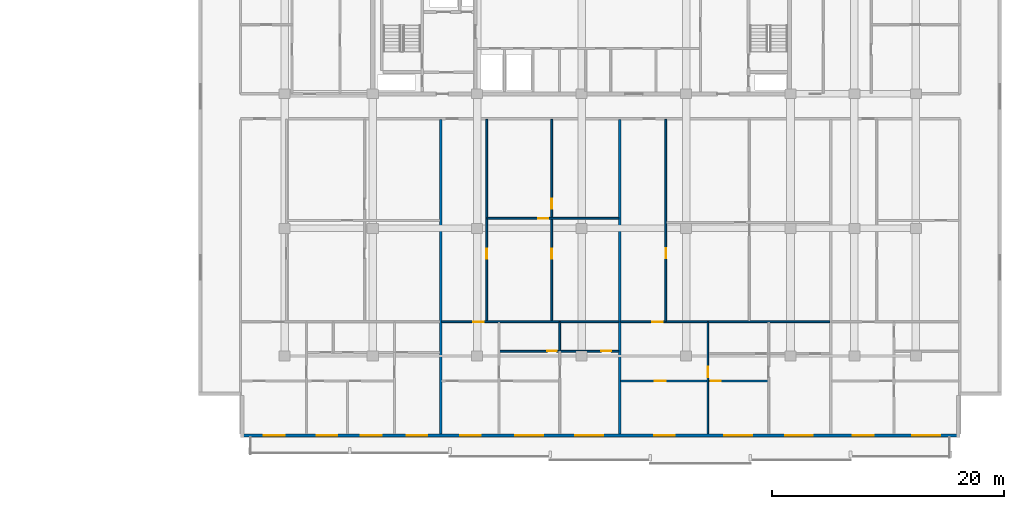
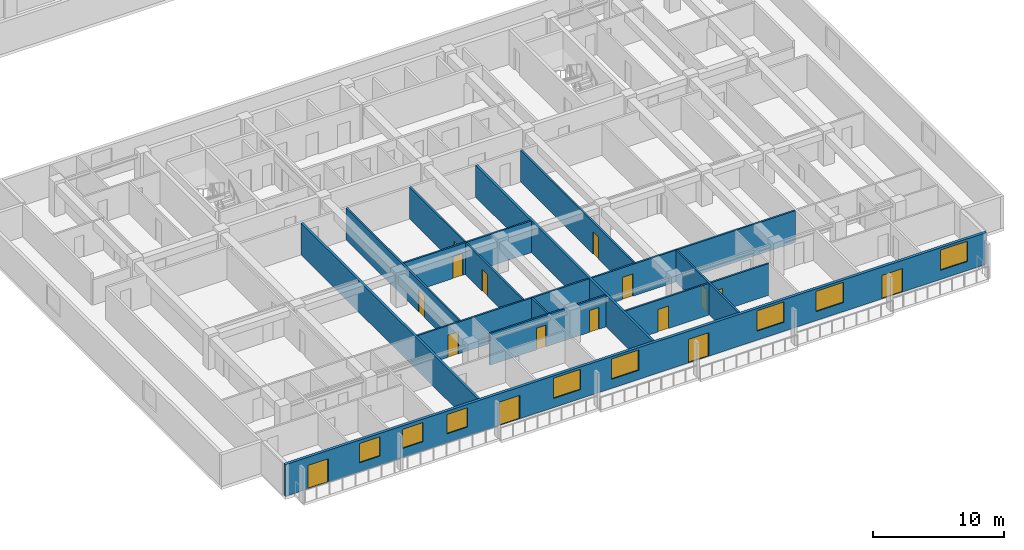
# One storey, part 4 of 23: 16 doors, 13 walls, 8 windows, 24 openings.
"""IFC4 building model written with IfcOpenShell, lengths in metres."""

from ifc_helpers import new_model, si_unit, direction, frame, frame_2d, origin, place, context, subcontext, project, spatial, rectangle, extrude, material, layer, layer_set, type_object, element, fill, save


model = new_model("IFC4")

# Units and contexts
model_context = context("Model", 3, precision=1e-05, world=origin(), true_north=direction((0.0, 1.0)))
body_context = subcontext(model_context, "Body", "Model", "MODEL_VIEW")
ifc_project = project(units=[si_unit("LENGTHUNIT", "METRE"), si_unit("AREAUNIT", "SQUARE_METRE"), si_unit("VOLUMEUNIT", "CUBIC_METRE"), si_unit("PLANEANGLEUNIT", "RADIAN"), si_unit("MASSUNIT", "GRAM", prefix="KILO")], contexts=[model_context])

# Site, building, storey
site_placement = place(None, origin())
site = spatial("IfcSite", under=ifc_project, at=site_placement, CompositionType="ELEMENT")
building_placement = place(site_placement, origin())
building = spatial("IfcBuilding", under=site, at=building_placement, Name="Korimba Cascade Residences", CompositionType="ELEMENT")
storey_placement = place(building_placement, frame((0.0, 0.0, 46.75)))
storey = spatial("IfcBuildingStorey", under=building, at=storey_placement, Name="L12", CompositionType="ELEMENT", Elevation=46.75)

# Wall, openings, doors, windows
ifc_material_1 = material(Name="Precast concrete C40/50", Category="concrete")
ifc_layer_1 = layer(ifc_material_1, 0.25)
ifc_layer_set_1 = layer_set([ifc_layer_1], Name="Precast concrete C40/50")
wall_type_1 = type_object("IfcWallType", Name="EW-LOG-250", PredefinedType="STANDARD", material=ifc_layer_set_1)
wall_1_placement = place(storey_placement, frame((70.699951171875, -11.050048828125, 0.0), z_axis=(0.0, 0.0, 1.0), x_axis=(1.0, 0.0, 0.0)))
wall_1 = element("IfcWall", 1, at=wall_1_placement, inside=storey, type_object=wall_type_1, Name="L12 T2 Perimeter Stone Wall E00", PredefinedType="STANDARD", context=body_context, shape_type="SweptSolid", body=[
    extrude(rectangle(XDim=62.0, YDim=0.25, at=frame_2d((31.0, 0.0))), origin(), (0.0, 0.0, 1.0), 2.969970703125),
])
opening_1_placement = place(wall_1_placement, frame((6.554931640625, 0.0, 0.85009765625)))
opening_1 = element("IfcOpeningElement", 2, at=opening_1_placement, cuts=wall_1, Name="Opening W-02", PredefinedType="OPENING", context=body_context, shape_type="SweptSolid", body=[
    extrude(rectangle(XDim=1.800048828125, YDim=1.800048828125, at=frame_2d((0.89990234375, 0.89990234375))), frame((0.0, 0.135009765625, 0.0), z_axis=(0.0, -1.0, 0.0), x_axis=(1.0, 0.0, 0.0)), (0.0, 0.0, 1.0), 0.27001953125),
])
opening_2_placement = place(wall_1_placement, frame((10.35498046875, 0.0, 0.85009765625)))
opening_2 = element("IfcOpeningElement", 3, at=opening_2_placement, cuts=wall_1, Name="Opening W-02", PredefinedType="OPENING", context=body_context, shape_type="SweptSolid", body=[
    extrude(rectangle(XDim=1.800048828125, YDim=1.800048828125, at=frame_2d((0.89990234375, 0.89990234375))), frame((0.0, 0.135009765625, 0.0), z_axis=(0.0, -1.0, 0.0), x_axis=(1.0, 0.0, 0.0)), (0.0, 0.0, 1.0), 0.27001953125),
])
opening_3_placement = place(wall_1_placement, frame((2.0, 0.0, 0.0)))
opening_3 = element("IfcOpeningElement", 4, at=opening_3_placement, cuts=wall_1, Name="Opening D-LG1", PredefinedType="OPENING", context=body_context, shape_type="SweptSolid", body=[
    extrude(rectangle(XDim=1.800048828125, YDim=2.199951171875, at=frame_2d((0.89990234375, 1.10009765625))), frame((0.0, 0.135009765625, 0.0), z_axis=(0.0, -1.0, 0.0), x_axis=(1.0, 0.0, 0.0)), (0.0, 0.0, 1.0), 0.27001953125),
])
opening_4_placement = place(wall_1_placement, frame((14.308349609375, 0.0, 0.85009765625)))
opening_4 = element("IfcOpeningElement", 5, at=opening_4_placement, cuts=wall_1, Name="Opening W-02", PredefinedType="OPENING", context=body_context, shape_type="SweptSolid", body=[
    extrude(rectangle(XDim=1.800048828125, YDim=1.800048828125, at=frame_2d((0.89990234375, 0.89990234375))), frame((0.0, 0.135009765625, 0.0), z_axis=(0.0, -1.0, 0.0), x_axis=(1.0, 0.0, 0.0)), (0.0, 0.0, 1.0), 0.27001953125),
])
opening_5_placement = place(wall_1_placement, frame((23.699951171875, 0.0, 0.85009765625)))
opening_5 = element("IfcOpeningElement", 6, at=opening_5_placement, cuts=wall_1, Name="Opening W-01", PredefinedType="OPENING", context=body_context, shape_type="SweptSolid", body=[
    extrude(rectangle(XDim=2.39990234375, YDim=1.89990234375, at=frame_2d((1.199951171875, 0.949951171875))), frame((0.0, 0.135009765625, 0.0), z_axis=(0.0, -1.0, 0.0), x_axis=(1.0, 0.0, 0.0)), (0.0, 0.0, 1.0), 0.27001953125),
])
opening_6_placement = place(wall_1_placement, frame((18.928466796875, 0.0, 0.0)))
opening_6 = element("IfcOpeningElement", 7, at=opening_6_placement, cuts=wall_1, Name="Opening D-LG1", PredefinedType="OPENING", context=body_context, shape_type="SweptSolid", body=[
    extrude(rectangle(XDim=1.800048828125, YDim=2.199951171875, at=frame_2d((0.89990234375, 1.10009765625))), frame((0.0, 0.135009765625, 0.0), z_axis=(0.0, -1.0, 0.0), x_axis=(1.0, 0.0, 0.0)), (0.0, 0.0, 1.0), 0.27001953125),
])
opening_7_placement = place(wall_1_placement, frame((28.843994140625, 0.0, 0.85009765625)))
opening_7 = element("IfcOpeningElement", 8, at=opening_7_placement, cuts=wall_1, Name="Opening W-01", PredefinedType="OPENING", context=body_context, shape_type="SweptSolid", body=[
    extrude(rectangle(XDim=2.39990234375, YDim=1.89990234375, at=frame_2d((1.199951171875, 0.949951171875))), frame((0.0, 0.135009765625, 0.0), z_axis=(0.0, -1.0, 0.0), x_axis=(1.0, 0.0, 0.0)), (0.0, 0.0, 1.0), 0.27001953125),
])
opening_8_placement = place(wall_1_placement, frame((41.699951171875, 0.0, 0.85009765625)))
opening_8 = element("IfcOpeningElement", 9, at=opening_8_placement, cuts=wall_1, Name="Opening W-01", PredefinedType="OPENING", context=body_context, shape_type="SweptSolid", body=[
    extrude(rectangle(XDim=2.39990234375, YDim=1.89990234375, at=frame_2d((1.199951171875, 0.949951171875))), frame((0.0, 0.135009765625, 0.0), z_axis=(0.0, -1.0, 0.0), x_axis=(1.0, 0.0, 0.0)), (0.0, 0.0, 1.0), 0.27001953125),
])
opening_9_placement = place(wall_1_placement, frame((35.64404296875, 0.0, 0.0)))
opening_9 = element("IfcOpeningElement", 10, at=opening_9_placement, cuts=wall_1, Name="Opening D-LG1", PredefinedType="OPENING", context=body_context, shape_type="SweptSolid", body=[
    extrude(rectangle(XDim=1.800048828125, YDim=2.199951171875, at=frame_2d((0.89990234375, 1.10009765625))), frame((0.0, 0.135009765625, 0.0), z_axis=(0.0, -1.0, 0.0), x_axis=(1.0, 0.0, 0.0)), (0.0, 0.0, 1.0), 0.27001953125),
])
opening_10_placement = place(wall_1_placement, frame((46.93505859375, 0.0, 0.85009765625)))
opening_10 = element("IfcOpeningElement", 11, at=opening_10_placement, cuts=wall_1, Name="Opening W-01", PredefinedType="OPENING", context=body_context, shape_type="SweptSolid", body=[
    extrude(rectangle(XDim=2.39990234375, YDim=1.89990234375, at=frame_2d((1.199951171875, 0.949951171875))), frame((0.0, 0.135009765625, 0.0), z_axis=(0.0, -1.0, 0.0), x_axis=(1.0, 0.0, 0.0)), (0.0, 0.0, 1.0), 0.27001953125),
])
opening_11_placement = place(wall_1_placement, frame((52.755126953125, 0.0, 0.0)))
opening_11 = element("IfcOpeningElement", 12, at=opening_11_placement, cuts=wall_1, Name="Opening D-LG1", PredefinedType="OPENING", context=body_context, shape_type="SweptSolid", body=[
    extrude(rectangle(XDim=1.800048828125, YDim=2.199951171875, at=frame_2d((0.89990234375, 1.10009765625))), frame((0.0, 0.135009765625, 0.0), z_axis=(0.0, -1.0, 0.0), x_axis=(1.0, 0.0, 0.0)), (0.0, 0.0, 1.0), 0.27001953125),
])
opening_12_placement = place(wall_1_placement, frame((57.89990234375, 0.0, 0.85009765625)))
opening_12 = element("IfcOpeningElement", 13, at=opening_12_placement, cuts=wall_1, Name="Opening W-01", PredefinedType="OPENING", context=body_context, shape_type="SweptSolid", body=[
    extrude(rectangle(XDim=2.39990234375, YDim=1.89990234375, at=frame_2d((1.199951171875, 0.949951171875))), frame((0.0, 0.135009765625, 0.0), z_axis=(0.0, -1.0, 0.0), x_axis=(1.0, 0.0, 0.0)), (0.0, 0.0, 1.0), 0.27001953125),
])
ifc_material_2 = material(Name="Glazed Aluminium Loggia Sliding Door", Category="aluminium")
door_type_1 = type_object("IfcDoorType", Name="DR-EXT-LOG", OperationType="NOTDEFINED", PredefinedType="DOOR", material=ifc_material_2)
door_1_placement = place(opening_3_placement, origin())
door_1 = element("IfcDoor", 14, at=door_1_placement, inside=storey, type_object=door_type_1, Name="L12 T2 Loggia Sliding Door 5", OperationType="SLIDING_TO_RIGHT", OverallHeight=2.199951171875, OverallWidth=1.800048828125, PredefinedType="DOOR", context=body_context, shape_type="SweptSolid", body=[
    extrude(rectangle(XDim=1.800048828125, YDim=2.199951171875, at=frame_2d((0.89990234375, 1.10009765625))), frame((0.0, 0.02490234375, 0.0), z_axis=(0.0, -1.0, 0.0), x_axis=(1.0, 0.0, 0.0)), (0.0, 0.0, 1.0), 0.050048828125),
])
fill(opening_3, door_1)
door_2_placement = place(opening_6_placement, origin())
door_2 = element("IfcDoor", 15, at=door_2_placement, inside=storey, type_object=door_type_1, Name="L12 T2 Loggia Sliding Door 8", OperationType="SLIDING_TO_RIGHT", OverallHeight=2.199951171875, OverallWidth=1.800048828125, PredefinedType="DOOR", context=body_context, shape_type="SweptSolid", body=[
    extrude(rectangle(XDim=1.800048828125, YDim=2.199951171875, at=frame_2d((0.89990234375, 1.10009765625))), frame((0.0, 0.02490234375, 0.0), z_axis=(0.0, -1.0, 0.0), x_axis=(1.0, 0.0, 0.0)), (0.0, 0.0, 1.0), 0.050048828125),
])
fill(opening_6, door_2)
door_3_placement = place(opening_9_placement, origin())
door_3 = element("IfcDoor", 16, at=door_3_placement, inside=storey, type_object=door_type_1, Name="L12 T2 Loggia Sliding Door 11", OperationType="SLIDING_TO_RIGHT", OverallHeight=2.199951171875, OverallWidth=1.800048828125, PredefinedType="DOOR", context=body_context, shape_type="SweptSolid", body=[
    extrude(rectangle(XDim=1.800048828125, YDim=2.199951171875, at=frame_2d((0.89990234375, 1.10009765625))), frame((0.0, 0.02490234375, 0.0), z_axis=(0.0, -1.0, 0.0), x_axis=(1.0, 0.0, 0.0)), (0.0, 0.0, 1.0), 0.050048828125),
])
fill(opening_9, door_3)
door_4_placement = place(opening_11_placement, origin())
door_4 = element("IfcDoor", 17, at=door_4_placement, inside=storey, type_object=door_type_1, Name="L12 T2 Loggia Sliding Door 13", OperationType="SLIDING_TO_RIGHT", OverallHeight=2.199951171875, OverallWidth=1.800048828125, PredefinedType="DOOR", context=body_context, shape_type="SweptSolid", body=[
    extrude(rectangle(XDim=1.800048828125, YDim=2.199951171875, at=frame_2d((0.89990234375, 1.10009765625))), frame((0.0, 0.02490234375, 0.0), z_axis=(0.0, -1.0, 0.0), x_axis=(1.0, 0.0, 0.0)), (0.0, 0.0, 1.0), 0.050048828125),
])
fill(opening_11, door_4)
ifc_material_3 = material(Name="Double-Glazed Aluminium Window", Category="aluminium")
window_type_1 = type_object("IfcWindowType", Name="WIN-BED-1800", PartitioningType="SINGLE_PANEL", PredefinedType="WINDOW", material=ifc_material_3)
window_1_placement = place(opening_1_placement, origin())
window_1 = element("IfcWindow", 18, at=window_1_placement, inside=storey, type_object=window_type_1, Name="L12 T2 South Facade Window 3", OverallHeight=1.800048828125, OverallWidth=1.800048828125, PartitioningType="SINGLE_PANEL", PredefinedType="WINDOW", context=body_context, shape_type="SweptSolid", body=[
    extrude(rectangle(XDim=1.800048828125, YDim=1.800048828125, at=frame_2d((0.89990234375, 0.89990234375))), frame((0.0, 0.030029296875, 0.0), z_axis=(0.0, -1.0, 0.0), x_axis=(1.0, 0.0, 0.0)), (0.0, 0.0, 1.0), 0.06005859375),
])
fill(opening_1, window_1)
window_2_placement = place(opening_2_placement, origin())
window_2 = element("IfcWindow", 19, at=window_2_placement, inside=storey, type_object=window_type_1, Name="L12 T2 South Facade Window 4", OverallHeight=1.800048828125, OverallWidth=1.800048828125, PartitioningType="SINGLE_PANEL", PredefinedType="WINDOW", context=body_context, shape_type="SweptSolid", body=[
    extrude(rectangle(XDim=1.800048828125, YDim=1.800048828125, at=frame_2d((0.89990234375, 0.89990234375))), frame((0.0, 0.030029296875, 0.0), z_axis=(0.0, -1.0, 0.0), x_axis=(1.0, 0.0, 0.0)), (0.0, 0.0, 1.0), 0.06005859375),
])
fill(opening_2, window_2)
window_3_placement = place(opening_4_placement, origin())
window_3 = element("IfcWindow", 20, at=window_3_placement, inside=storey, type_object=window_type_1, Name="L12 T2 South Facade Window 6", OverallHeight=1.800048828125, OverallWidth=1.800048828125, PartitioningType="SINGLE_PANEL", PredefinedType="WINDOW", context=body_context, shape_type="SweptSolid", body=[
    extrude(rectangle(XDim=1.800048828125, YDim=1.800048828125, at=frame_2d((0.89990234375, 0.89990234375))), frame((0.0, 0.030029296875, 0.0), z_axis=(0.0, -1.0, 0.0), x_axis=(1.0, 0.0, 0.0)), (0.0, 0.0, 1.0), 0.06005859375),
])
fill(opening_4, window_3)
window_type_2 = type_object("IfcWindowType", Name="WIN-RES-2400", PartitioningType="DOUBLE_PANEL_VERTICAL", PredefinedType="WINDOW", material=ifc_material_3)
window_4_placement = place(opening_5_placement, origin())
window_4 = element("IfcWindow", 21, at=window_4_placement, inside=storey, type_object=window_type_2, Name="L12 T2 South Facade Window 7", OverallHeight=1.89990234375, OverallWidth=2.39990234375, PartitioningType="DOUBLE_PANEL_VERTICAL", PredefinedType="WINDOW", context=body_context, shape_type="SweptSolid", body=[
    extrude(rectangle(XDim=2.39990234375, YDim=1.89990234375, at=frame_2d((1.199951171875, 0.949951171875))), frame((0.0, 0.030029296875, 0.0), z_axis=(0.0, -1.0, 0.0), x_axis=(1.0, 0.0, 0.0)), (0.0, 0.0, 1.0), 0.06005859375),
])
fill(opening_5, window_4)
window_5_placement = place(opening_7_placement, origin())
window_5 = element("IfcWindow", 22, at=window_5_placement, inside=storey, type_object=window_type_2, Name="L12 T2 South Facade Window 9", OverallHeight=1.89990234375, OverallWidth=2.39990234375, PartitioningType="DOUBLE_PANEL_VERTICAL", PredefinedType="WINDOW", context=body_context, shape_type="SweptSolid", body=[
    extrude(rectangle(XDim=2.39990234375, YDim=1.89990234375, at=frame_2d((1.199951171875, 0.949951171875))), frame((0.0, 0.030029296875, 0.0), z_axis=(0.0, -1.0, 0.0), x_axis=(1.0, 0.0, 0.0)), (0.0, 0.0, 1.0), 0.06005859375),
])
fill(opening_7, window_5)
window_6_placement = place(opening_8_placement, origin())
window_6 = element("IfcWindow", 23, at=window_6_placement, inside=storey, type_object=window_type_2, Name="L12 T2 South Facade Window 10", OverallHeight=1.89990234375, OverallWidth=2.39990234375, PartitioningType="DOUBLE_PANEL_VERTICAL", PredefinedType="WINDOW", context=body_context, shape_type="SweptSolid", body=[
    extrude(rectangle(XDim=2.39990234375, YDim=1.89990234375, at=frame_2d((1.199951171875, 0.949951171875))), frame((0.0, 0.030029296875, 0.0), z_axis=(0.0, -1.0, 0.0), x_axis=(1.0, 0.0, 0.0)), (0.0, 0.0, 1.0), 0.06005859375),
])
fill(opening_8, window_6)
window_7_placement = place(opening_10_placement, origin())
window_7 = element("IfcWindow", 24, at=window_7_placement, inside=storey, type_object=window_type_2, Name="L12 T2 South Facade Window 12", OverallHeight=1.89990234375, OverallWidth=2.39990234375, PartitioningType="DOUBLE_PANEL_VERTICAL", PredefinedType="WINDOW", context=body_context, shape_type="SweptSolid", body=[
    extrude(rectangle(XDim=2.39990234375, YDim=1.89990234375, at=frame_2d((1.199951171875, 0.949951171875))), frame((0.0, 0.030029296875, 0.0), z_axis=(0.0, -1.0, 0.0), x_axis=(1.0, 0.0, 0.0)), (0.0, 0.0, 1.0), 0.06005859375),
])
fill(opening_10, window_7)
window_8_placement = place(opening_12_placement, origin())
window_8 = element("IfcWindow", 25, at=window_8_placement, inside=storey, type_object=window_type_2, Name="L12 T2 South Facade Window 14", OverallHeight=1.89990234375, OverallWidth=2.39990234375, PartitioningType="DOUBLE_PANEL_VERTICAL", PredefinedType="WINDOW", context=body_context, shape_type="SweptSolid", body=[
    extrude(rectangle(XDim=2.39990234375, YDim=1.89990234375, at=frame_2d((1.199951171875, 0.949951171875))), frame((0.0, 0.030029296875, 0.0), z_axis=(0.0, -1.0, 0.0), x_axis=(1.0, 0.0, 0.0)), (0.0, 0.0, 1.0), 0.06005859375),
])
fill(opening_12, window_8)

# Walls
ifc_layer_2 = layer(ifc_material_1, 0.199951171875)
ifc_layer_set_2 = layer_set([ifc_layer_2], Name="Precast concrete C40/50")
wall_type_2 = type_object("IfcWallType", Name="WAL-IT-200", PredefinedType="PARTITIONING", material=ifc_layer_set_2)
for number, where, z_axis, x_axis, name in (
    (26, (87.956787109375, -10.89990234375, 0.0), (0.0, 0.0, 1.0), (0.0, 1.0, 0.0), "L12 Partition Wall WAL-L12-T2-DEM-1"),
    (27, (103.387939453125, -10.89990234375, 0.0), (0.0, 0.0, 1.0), (0.0, 1.0, 0.0), "L12 Partition Wall WAL-L12-T2-DEM-2"),
):
    element("IfcWall", number, at=place(storey_placement, frame(where, z_axis=z_axis, x_axis=x_axis)), inside=storey, type_object=wall_type_2, Name=name, PredefinedType="PARTITIONING", context=body_context, shape_type="SweptSolid", body=[
        extrude(rectangle(XDim=27.06982421875, YDim=0.199951171875, at=frame_2d((13.534912109375, 0.0))), origin(), (0.0, 0.0, 1.0), 2.969970703125),
    ])

# Wall, openings, doors
ifc_material_4 = material(Name="Insulated Acoustic Stud Partition", Category="gypsum")
ifc_layer_3 = layer(ifc_material_4, 0.14990234375)
ifc_layer_set_3 = layer_set([ifc_layer_3], Name="Insulated Acoustic Stud Partition")
wall_type_3 = type_object("IfcWallType", Name="WAL-PART-150", PredefinedType="PARTITIONING", material=ifc_layer_set_3)
wall_2_placement = place(storey_placement, frame((97.52734375, -1.2099609375, 0.0), z_axis=(0.0, 0.0, 1.0), x_axis=(0.0, 1.0, 0.0)))
wall_2 = element("IfcWall", 28, at=wall_2_placement, inside=storey, type_object=wall_type_3, Name="L12 Partition Wall WAL-L12-T2-U02-FMV", PredefinedType="PARTITIONING", context=body_context, shape_type="SweptSolid", body=[
    extrude(rectangle(XDim=17.39990234375, YDim=0.14990234375, at=frame_2d((8.699951171875, 0.0))), origin(), (0.0, 0.0, 1.0), 2.969970703125),
])
opening_13_placement = place(wall_2_placement, frame((5.4091796875, 0.0, 0.0)))
opening_13 = element("IfcOpeningElement", 29, at=opening_13_placement, cuts=wall_2, Name="Opening D-BT1", PredefinedType="OPENING", context=body_context, shape_type="SweptSolid", body=[
    extrude(rectangle(XDim=0.840087890625, YDim=2.0400390625, at=frame_2d((0.419921875, 1.02001953125))), frame((0.0, 0.0849609375, 0.0), z_axis=(0.0, -1.0, 0.0), x_axis=(1.0, 0.0, 0.0)), (0.0, 0.0, 1.0), 0.169921875),
])
opening_14_placement = place(wall_2_placement, frame((9.693115234375, 0.0, 0.0)))
opening_14 = element("IfcOpeningElement", 30, at=opening_14_placement, cuts=wall_2, Name="Opening D-IN2", PredefinedType="OPENING", context=body_context, shape_type="SweptSolid", body=[
    extrude(rectangle(XDim=0.8798828125, YDim=2.06005859375, at=frame_2d((0.43994140625, 1.030029296875))), frame((0.0, 0.0849609375, 0.0), z_axis=(0.0, -1.0, 0.0), x_axis=(1.0, 0.0, 0.0)), (0.0, 0.0, 1.0), 0.169921875),
])
ifc_material_5 = material(Name="Moisture-Resistant Bathroom Timber Door", Category="wood")
door_type_2 = type_object("IfcDoorType", Name="DR-INT-850", OperationType="NOTDEFINED", PredefinedType="DOOR", material=ifc_material_5)
door_5_placement = place(opening_13_placement, origin())
door_5 = element("IfcDoor", 31, at=door_5_placement, inside=storey, type_object=door_type_2, Name="L12-T2-U02 Wardrobe Door", OperationType="SINGLE_SWING_RIGHT", OverallHeight=2.0400390625, OverallWidth=0.840087890625, PredefinedType="DOOR", context=body_context, shape_type="SweptSolid", body=[
    extrude(rectangle(XDim=0.840087890625, YDim=2.0400390625, at=frame_2d((0.419921875, 1.02001953125))), frame((0.0, 0.02490234375, 0.0), z_axis=(0.0, -1.0, 0.0), x_axis=(1.0, 0.0, 0.0)), (0.0, 0.0, 1.0), 0.050048828125),
])
fill(opening_13, door_5)
ifc_material_6 = material(Name="Acoustic Timber Bedroom Door", Category="wood")
door_type_3 = type_object("IfcDoorType", Name="DR-INT-880", OperationType="NOTDEFINED", PredefinedType="DOOR", material=ifc_material_6)
door_6_placement = place(opening_14_placement, origin())
door_6 = element("IfcDoor", 32, at=door_6_placement, inside=storey, type_object=door_type_3, Name="L12-T2-U02 Music Lounge Door", OperationType="SINGLE_SWING_LEFT", OverallHeight=2.06005859375, OverallWidth=0.8798828125, PredefinedType="DOOR", context=body_context, shape_type="SweptSolid", body=[
    extrude(rectangle(XDim=0.8798828125, YDim=2.06005859375, at=frame_2d((0.43994140625, 1.030029296875))), frame((0.0, 0.02490234375, 0.0), z_axis=(0.0, -1.0, 0.0), x_axis=(1.0, 0.0, 0.0)), (0.0, 0.0, 1.0), 0.050048828125),
])
fill(opening_14, door_6)

# Wall, opening, door
wall_3_placement = place(storey_placement, frame((91.98681640625, 7.669921875, 0.0), z_axis=(0.0, 0.0, 1.0), x_axis=(1.0, 0.0, 0.0)))
wall_3 = element("IfcWall", 33, at=wall_3_placement, inside=storey, type_object=wall_type_3, Name="L12 Partition Wall WAL-L12-T2-U02-FMH", PredefinedType="PARTITIONING", context=body_context, shape_type="SweptSolid", body=[
    extrude(rectangle(XDim=11.3212890625, YDim=0.14990234375, at=frame_2d((5.66064453125, 0.0))), origin(), (0.0, 0.0, 1.0), 2.969970703125),
])
opening_15_placement = place(wall_3_placement, frame((4.35888671875, 0.0, 0.0)))
opening_15 = element("IfcOpeningElement", 34, at=opening_15_placement, cuts=wall_3, Name="Opening D-IN2", PredefinedType="OPENING", context=body_context, shape_type="SweptSolid", body=[
    extrude(rectangle(XDim=0.8798828125, YDim=2.06005859375, at=frame_2d((0.43994140625, 1.030029296875))), frame((0.0, 0.0849609375, 0.0), z_axis=(0.0, -1.0, 0.0), x_axis=(1.0, 0.0, 0.0)), (0.0, 0.0, 1.0), 0.169921875),
])
door_7_placement = place(opening_15_placement, origin())
door_7 = element("IfcDoor", 35, at=door_7_placement, inside=storey, type_object=door_type_3, Name="L12-T2-U02 Library Salon Door", OperationType="SINGLE_SWING_RIGHT", OverallHeight=2.06005859375, OverallWidth=0.8798828125, PredefinedType="DOOR", context=body_context, shape_type="SweptSolid", body=[
    extrude(rectangle(XDim=0.8798828125, YDim=2.06005859375, at=frame_2d((0.43994140625, 1.030029296875))), frame((0.0, 0.02490234375, 0.0), z_axis=(0.0, -1.0, 0.0), x_axis=(1.0, 0.0, 0.0)), (0.0, 0.0, 1.0), 0.050048828125),
])
fill(opening_15, door_7)

wall_4_placement = place(storey_placement, frame((91.9267578125, -1.2099609375, 0.0), z_axis=(0.0, 0.0, 1.0), x_axis=(0.0, 1.0, 0.0)))
wall_4 = element("IfcWall", 36, at=wall_4_placement, inside=storey, type_object=wall_type_3, Name="L12 Partition Wall WAL-L12-T2-U02-FV", PredefinedType="PARTITIONING", context=body_context, shape_type="SweptSolid", body=[
    extrude(rectangle(XDim=17.39990234375, YDim=0.14990234375, at=frame_2d((8.699951171875, 0.0))), origin(), (0.0, 0.0, 1.0), 2.969970703125),
])
opening_16_placement = place(wall_4_placement, frame((5.382080078125, 0.0, 0.0)))
opening_16 = element("IfcOpeningElement", 37, at=opening_16_placement, cuts=wall_4, Name="Opening D-IN2", PredefinedType="OPENING", context=body_context, shape_type="SweptSolid", body=[
    extrude(rectangle(XDim=0.8798828125, YDim=2.06005859375, at=frame_2d((0.43994140625, 1.030029296875))), frame((0.0, 0.0849609375, 0.0), z_axis=(0.0, -1.0, 0.0), x_axis=(1.0, 0.0, 0.0)), (0.0, 0.0, 1.0), 0.169921875),
])
door_8_placement = place(opening_16_placement, origin())
door_8 = element("IfcDoor", 38, at=door_8_placement, inside=storey, type_object=door_type_3, Name="L12-T2-U02 Media Lounge Door", OperationType="SINGLE_SWING_LEFT", OverallHeight=2.06005859375, OverallWidth=0.8798828125, PredefinedType="DOOR", context=body_context, shape_type="SweptSolid", body=[
    extrude(rectangle(XDim=0.8798828125, YDim=2.06005859375, at=frame_2d((0.43994140625, 1.030029296875))), frame((0.0, 0.02490234375, 0.0), z_axis=(0.0, -1.0, 0.0), x_axis=(1.0, 0.0, 0.0)), (0.0, 0.0, 1.0), 0.050048828125),
])
fill(opening_16, door_8)

# Wall
wall_5_placement = place(storey_placement, frame((98.219970703125, -3.760009765625, 0.0), z_axis=(0.0, 0.0, 1.0), x_axis=(0.0, 1.0, 0.0)))
element("IfcWall", 39, at=wall_5_placement, inside=storey, type_object=wall_type_3, Name="L12 Partition Wall WAL-L12-T2-U02-VBATH", PredefinedType="PARTITIONING", context=body_context, shape_type="SweptSolid", body=[
    extrude(rectangle(XDim=2.469970703125, YDim=0.14990234375, at=frame_2d((1.23486328125, 0.0))), origin(), (0.0, 0.0, 1.0), 2.969970703125),
])

# Wall, openings, doors
wall_6_placement = place(storey_placement, frame((93.02001953125, -3.780029296875, 0.0), z_axis=(0.0, 0.0, 1.0), x_axis=(1.0, 0.0, 0.0)))
wall_6 = element("IfcWall", 40, at=wall_6_placement, inside=storey, type_object=wall_type_3, Name="L12 Partition Wall WAL-L12-T2-U02-HWALL", PredefinedType="PARTITIONING", context=body_context, shape_type="SweptSolid", body=[
    extrude(rectangle(XDim=10.2880859375, YDim=0.14990234375, at=frame_2d((5.14404296875, 0.0))), origin(), (0.0, 0.0, 1.0), 2.969970703125),
])
opening_17_placement = place(wall_6_placement, frame((4.110107421875, 0.0, 0.0)))
opening_17 = element("IfcOpeningElement", 41, at=opening_17_placement, cuts=wall_6, Name="Opening D-BT1", PredefinedType="OPENING", context=body_context, shape_type="SweptSolid", body=[
    extrude(rectangle(XDim=0.840087890625, YDim=2.0400390625, at=frame_2d((0.419921875, 1.02001953125))), frame((0.0, 0.0849609375, 0.0), z_axis=(0.0, -1.0, 0.0), x_axis=(1.0, 0.0, 0.0)), (0.0, 0.0, 1.0), 0.169921875),
])
opening_18_placement = place(wall_6_placement, frame((8.787109375, 0.0, 0.0)))
opening_18 = element("IfcOpeningElement", 42, at=opening_18_placement, cuts=wall_6, Name="Opening D-BT1", PredefinedType="OPENING", context=body_context, shape_type="SweptSolid", body=[
    extrude(rectangle(XDim=0.840087890625, YDim=2.0400390625, at=frame_2d((0.419921875, 1.02001953125))), frame((0.0, 0.0849609375, 0.0), z_axis=(0.0, -1.0, 0.0), x_axis=(1.0, 0.0, 0.0)), (0.0, 0.0, 1.0), 0.169921875),
])
door_9_placement = place(opening_17_placement, origin())
door_9 = element("IfcDoor", 43, at=door_9_placement, inside=storey, type_object=door_type_2, Name="L12-T2-U02 Family Bathroom Door", OperationType="SINGLE_SWING_RIGHT", OverallHeight=2.0400390625, OverallWidth=0.840087890625, PredefinedType="DOOR", context=body_context, shape_type="SweptSolid", body=[
    extrude(rectangle(XDim=0.840087890625, YDim=2.0400390625, at=frame_2d((0.419921875, 1.02001953125))), frame((0.0, 0.02490234375, 0.0), z_axis=(0.0, -1.0, 0.0), x_axis=(1.0, 0.0, 0.0)), (0.0, 0.0, 1.0), 0.050048828125),
])
fill(opening_17, door_9)
door_10_placement = place(opening_18_placement, origin())
door_10 = element("IfcDoor", 44, at=door_10_placement, inside=storey, type_object=door_type_2, Name="L12-T2-U02 En-Suite Door", OperationType="SINGLE_SWING_LEFT", OverallHeight=2.0400390625, OverallWidth=0.840087890625, PredefinedType="DOOR", context=body_context, shape_type="SweptSolid", body=[
    extrude(rectangle(XDim=0.840087890625, YDim=2.0400390625, at=frame_2d((0.419921875, 1.02001953125))), frame((0.0, 0.02490234375, 0.0), z_axis=(0.0, -1.0, 0.0), x_axis=(1.0, 0.0, 0.0)), (0.0, 0.0, 1.0), 0.050048828125),
])
fill(opening_18, door_10)

# Wall, opening, door
wall_7_placement = place(storey_placement, frame((88.03662109375, -1.25, 0.0), z_axis=(0.0, 0.0, 1.0), x_axis=(1.0, 0.0, 0.0)))
wall_7 = element("IfcWall", 45, at=wall_7_placement, inside=storey, type_object=wall_type_3, Name="L12 Partition Wall WAL-L12-T2-U02-MW", PredefinedType="PARTITIONING", context=body_context, shape_type="SweptSolid", body=[
    extrude(rectangle(XDim=15.271484375, YDim=0.14990234375, at=frame_2d((7.6357421875, 0.0))), origin(), (0.0, 0.0, 1.0), 2.969970703125),
])
opening_19_placement = place(wall_7_placement, frame((2.719970703125, 0.0, 0.0)))
opening_19 = element("IfcOpeningElement", 46, at=opening_19_placement, cuts=wall_7, Name="Opening D-IN1", PredefinedType="OPENING", context=body_context, shape_type="SweptSolid", body=[
    extrude(rectangle(XDim=0.919921875, YDim=2.080078125, at=frame_2d((0.4599609375, 1.0400390625))), frame((0.0, 0.0849609375, 0.0), z_axis=(0.0, -1.0, 0.0), x_axis=(1.0, 0.0, 0.0)), (0.0, 0.0, 1.0), 0.169921875),
])
ifc_material_7 = material(Name="Acoustic Timber Living Door", Category="wood")
door_type_4 = type_object("IfcDoorType", Name="DR-INT-920", OperationType="NOTDEFINED", PredefinedType="DOOR", material=ifc_material_7)
door_11_placement = place(opening_19_placement, origin())
door_11 = element("IfcDoor", 47, at=door_11_placement, inside=storey, type_object=door_type_4, Name="L12-T2-U02 Kitchen Door", OperationType="SINGLE_SWING_RIGHT", OverallHeight=2.080078125, OverallWidth=0.919921875, PredefinedType="DOOR", context=body_context, shape_type="SweptSolid", body=[
    extrude(rectangle(XDim=0.919921875, YDim=2.080078125, at=frame_2d((0.4599609375, 1.0400390625))), frame((0.0, 0.02490234375, 0.0), z_axis=(0.0, -1.0, 0.0), x_axis=(1.0, 0.0, 0.0)), (0.0, 0.0, 1.0), 0.050048828125),
])
fill(opening_19, door_11)

wall_8_placement = place(storey_placement, frame((107.35791015625, -1.2099609375, 0.0), z_axis=(0.0, 0.0, 1.0), x_axis=(0.0, 1.0, 0.0)))
wall_8 = element("IfcWall", 48, at=wall_8_placement, inside=storey, type_object=wall_type_3, Name="L12 Partition Wall WAL-L12-T2-U03-FV", PredefinedType="PARTITIONING", context=body_context, shape_type="SweptSolid", body=[
    extrude(rectangle(XDim=17.39990234375, YDim=0.14990234375, at=frame_2d((8.699951171875, 0.0))), origin(), (0.0, 0.0, 1.0), 2.969970703125),
])
opening_20_placement = place(wall_8_placement, frame((5.418701171875, 0.0, 0.0)))
opening_20 = element("IfcOpeningElement", 49, at=opening_20_placement, cuts=wall_8, Name="Opening D-IN2", PredefinedType="OPENING", context=body_context, shape_type="SweptSolid", body=[
    extrude(rectangle(XDim=0.8798828125, YDim=2.06005859375, at=frame_2d((0.43994140625, 1.030029296875))), frame((0.0, 0.0849609375, 0.0), z_axis=(0.0, -1.0, 0.0), x_axis=(1.0, 0.0, 0.0)), (0.0, 0.0, 1.0), 0.169921875),
])
door_12_placement = place(opening_20_placement, origin())
door_12 = element("IfcDoor", 50, at=door_12_placement, inside=storey, type_object=door_type_3, Name="L12-T2-U03 Media Lounge Door", OperationType="SINGLE_SWING_RIGHT", OverallHeight=2.06005859375, OverallWidth=0.8798828125, PredefinedType="DOOR", context=body_context, shape_type="SweptSolid", body=[
    extrude(rectangle(XDim=0.8798828125, YDim=2.06005859375, at=frame_2d((0.43994140625, 1.030029296875))), frame((0.0, 0.02490234375, 0.0), z_axis=(0.0, -1.0, 0.0), x_axis=(1.0, 0.0, 0.0)), (0.0, 0.0, 1.0), 0.050048828125),
])
fill(opening_20, door_12)

wall_9_placement = place(storey_placement, frame((110.97998046875, -10.89990234375, 0.0), z_axis=(0.0, 0.0, 1.0), x_axis=(0.0, 1.0, 0.0)))
wall_9 = element("IfcWall", 51, at=wall_9_placement, inside=storey, type_object=wall_type_3, Name="L12 Partition Wall WAL-L12-T2-U03-V1", PredefinedType="PARTITIONING", context=body_context, shape_type="SweptSolid", body=[
    extrude(rectangle(XDim=9.60986328125, YDim=0.14990234375, at=frame_2d((4.804931640625, 0.0))), origin(), (0.0, 0.0, 1.0), 2.969970703125),
])
opening_21_placement = place(wall_9_placement, frame((4.8701171875, 0.0, 0.0)))
opening_21 = element("IfcOpeningElement", 52, at=opening_21_placement, cuts=wall_9, Name="Opening D-IN1", PredefinedType="OPENING", context=body_context, shape_type="SweptSolid", body=[
    extrude(rectangle(XDim=0.919921875, YDim=2.080078125, at=frame_2d((0.4599609375, 1.0400390625))), frame((0.0, 0.0849609375, 0.0), z_axis=(0.0, -1.0, 0.0), x_axis=(1.0, 0.0, 0.0)), (0.0, 0.0, 1.0), 0.169921875),
])
door_13_placement = place(opening_21_placement, origin())
door_13 = element("IfcDoor", 53, at=door_13_placement, inside=storey, type_object=door_type_4, Name="L12-T2-U03 Hallway Door", OperationType="SINGLE_SWING_LEFT", OverallHeight=2.080078125, OverallWidth=0.919921875, PredefinedType="DOOR", context=body_context, shape_type="SweptSolid", body=[
    extrude(rectangle(XDim=0.919921875, YDim=2.080078125, at=frame_2d((0.4599609375, 1.0400390625))), frame((0.0, 0.02490234375, 0.0), z_axis=(0.0, -1.0, 0.0), x_axis=(1.0, 0.0, 0.0)), (0.0, 0.0, 1.0), 0.050048828125),
])
fill(opening_21, door_13)

wall_10_placement = place(storey_placement, frame((103.468017578125, -1.25, 0.0), z_axis=(0.0, 0.0, 1.0), x_axis=(1.0, 0.0, 0.0)))
wall_10 = element("IfcWall", 54, at=wall_10_placement, inside=storey, type_object=wall_type_3, Name="L12 Partition Wall WAL-L12-T2-U03-MW", PredefinedType="PARTITIONING", context=body_context, shape_type="SweptSolid", body=[
    extrude(rectangle(XDim=18.02197265625, YDim=0.14990234375, at=frame_2d((9.010986328125, 0.0))), origin(), (0.0, 0.0, 1.0), 2.969970703125),
])
opening_22_placement = place(wall_10_placement, frame((2.719970703125, 0.0, 0.0)))
opening_22 = element("IfcOpeningElement", 55, at=opening_22_placement, cuts=wall_10, Name="Opening D-IN1", PredefinedType="OPENING", context=body_context, shape_type="SweptSolid", body=[
    extrude(rectangle(XDim=0.919921875, YDim=2.080078125, at=frame_2d((0.4599609375, 1.0400390625))), frame((0.0, 0.0849609375, 0.0), z_axis=(0.0, -1.0, 0.0), x_axis=(1.0, 0.0, 0.0)), (0.0, 0.0, 1.0), 0.169921875),
])
door_14_placement = place(opening_22_placement, origin())
door_14 = element("IfcDoor", 56, at=door_14_placement, inside=storey, type_object=door_type_4, Name="L12-T2-U03 Kitchen Door", OperationType="SINGLE_SWING_LEFT", OverallHeight=2.080078125, OverallWidth=0.919921875, PredefinedType="DOOR", context=body_context, shape_type="SweptSolid", body=[
    extrude(rectangle(XDim=0.919921875, YDim=2.080078125, at=frame_2d((0.4599609375, 1.0400390625))), frame((0.0, 0.02490234375, 0.0), z_axis=(0.0, -1.0, 0.0), x_axis=(1.0, 0.0, 0.0)), (0.0, 0.0, 1.0), 0.050048828125),
])
fill(opening_22, door_14)

# Wall, openings, doors
wall_11_placement = place(storey_placement, frame((103.468017578125, -6.35009765625, 0.0), z_axis=(0.0, 0.0, 1.0), x_axis=(1.0, 0.0, 0.0)))
wall_11 = element("IfcWall", 57, at=wall_11_placement, inside=storey, type_object=wall_type_3, Name="L12 Partition Wall WAL-L12-T2-U03-HZ", PredefinedType="PARTITIONING", context=body_context, shape_type="SweptSolid", body=[
    extrude(rectangle(XDim=12.751953125, YDim=0.14990234375, at=frame_2d((6.3759765625, 0.0))), origin(), (0.0, 0.0, 1.0), 2.969970703125),
])
opening_23_placement = place(wall_11_placement, frame((2.921630859375, 0.0, 0.0)))
opening_23 = element("IfcOpeningElement", 58, at=opening_23_placement, cuts=wall_11, Name="Opening D-IN0", PredefinedType="OPENING", context=body_context, shape_type="SweptSolid", body=[
    extrude(rectangle(XDim=0.93994140625, YDim=2.10009765625, at=frame_2d((0.469970703125, 1.050048828125))), frame((0.0, 0.0849609375, 0.0), z_axis=(0.0, -1.0, 0.0), x_axis=(1.0, 0.0, 0.0)), (0.0, 0.0, 1.0), 0.169921875),
])
opening_24_placement = place(wall_11_placement, frame((7.761962890625, 0.0, 0.0)))
opening_24 = element("IfcOpeningElement", 59, at=opening_24_placement, cuts=wall_11, Name="Opening D-IN2", PredefinedType="OPENING", context=body_context, shape_type="SweptSolid", body=[
    extrude(rectangle(XDim=0.8798828125, YDim=2.06005859375, at=frame_2d((0.43994140625, 1.030029296875))), frame((0.0, 0.0849609375, 0.0), z_axis=(0.0, -1.0, 0.0), x_axis=(1.0, 0.0, 0.0)), (0.0, 0.0, 1.0), 0.169921875),
])
door_15_placement = place(opening_24_placement, origin())
door_15 = element("IfcDoor", 60, at=door_15_placement, inside=storey, type_object=door_type_3, Name="L12-T2-U03 Bedroom 2 Door", OperationType="SINGLE_SWING_LEFT", OverallHeight=2.06005859375, OverallWidth=0.8798828125, PredefinedType="DOOR", context=body_context, shape_type="SweptSolid", body=[
    extrude(rectangle(XDim=0.8798828125, YDim=2.06005859375, at=frame_2d((0.43994140625, 1.030029296875))), frame((0.0, 0.02490234375, 0.0), z_axis=(0.0, -1.0, 0.0), x_axis=(1.0, 0.0, 0.0)), (0.0, 0.0, 1.0), 0.050048828125),
])
fill(opening_24, door_15)
ifc_material_8 = material(Name="Acoustic Timber Living Archway Door", Category="wood")
door_type_5 = type_object("IfcDoorType", Name="DR-INT-950", OperationType="NOTDEFINED", PredefinedType="DOOR", material=ifc_material_8)
door_16_placement = place(opening_23_placement, origin())
door_16 = element("IfcDoor", 61, at=door_16_placement, inside=storey, type_object=door_type_5, Name="L12-T2-U03 Living Room Door", OperationType="SINGLE_SWING_RIGHT", OverallHeight=2.10009765625, OverallWidth=0.93994140625, PredefinedType="DOOR", context=body_context, shape_type="SweptSolid", body=[
    extrude(rectangle(XDim=0.93994140625, YDim=2.10009765625, at=frame_2d((0.469970703125, 1.050048828125))), frame((0.0, 0.02490234375, 0.0), z_axis=(0.0, -1.0, 0.0), x_axis=(1.0, 0.0, 0.0)), (0.0, 0.0, 1.0), 0.050048828125),
])
fill(opening_23, door_16)

save(model, "model.ifc")
